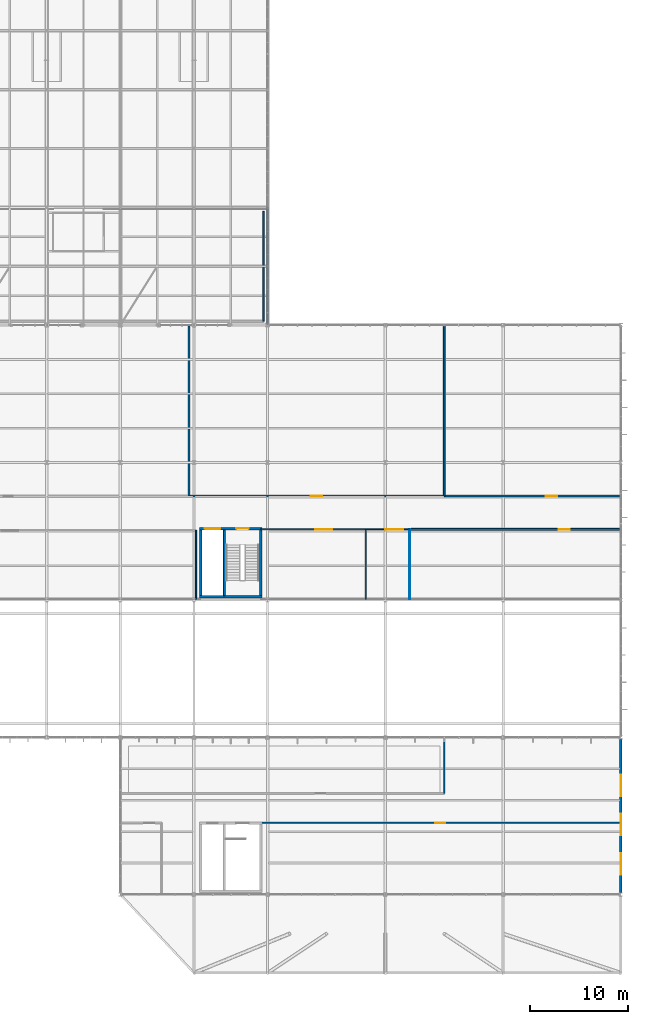
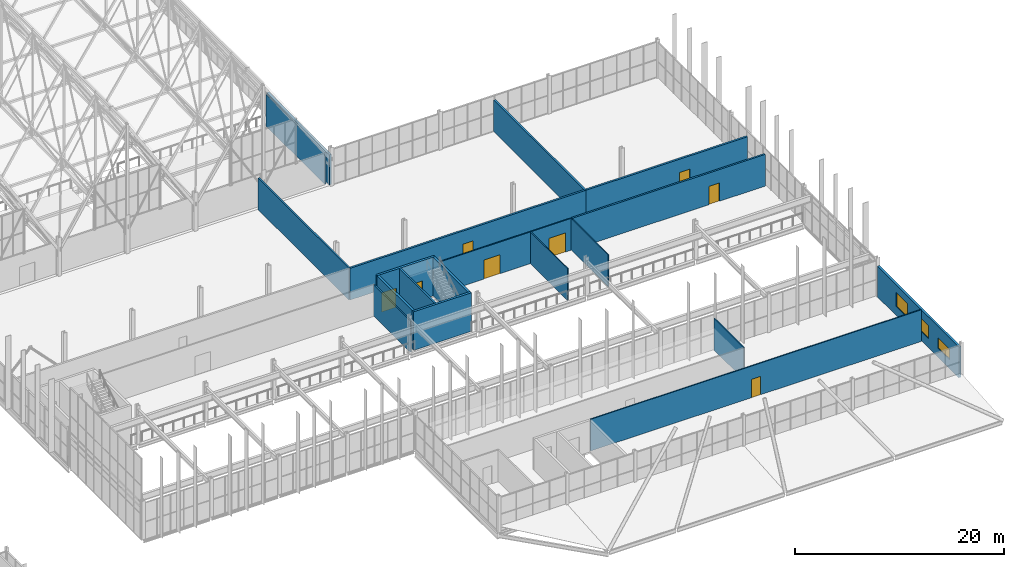
# One storey, part 311 of 324: 20 walls, 8 doors, 3 windows, 11 openings.
"""IFC4 building model written with IfcOpenShell, lengths in metres."""

from ifc_helpers import new_model, si_unit, direction, frame, frame_2d, origin, place, context, subcontext, project, spatial, rectangle, extrude, material, layer, layer_set, type_object, element, fill, save


model = new_model("IFC4")

# Units and contexts
model_context = context("Model", 3, precision=1e-05, world=origin(), true_north=direction((0.0, 1.0)))
body_context = subcontext(model_context, "Body", "Model", "MODEL_VIEW")
ifc_project = project(units=[si_unit("LENGTHUNIT", "METRE"), si_unit("AREAUNIT", "SQUARE_METRE"), si_unit("VOLUMEUNIT", "CUBIC_METRE"), si_unit("PLANEANGLEUNIT", "RADIAN"), si_unit("MASSUNIT", "GRAM", prefix="KILO")], contexts=[model_context])

# Site, building, storey
site_placement = place(None, origin())
site = spatial("IfcSite", under=ifc_project, at=site_placement, CompositionType="ELEMENT")
building_placement = place(site_placement, origin())
building = spatial("IfcBuilding", under=site, at=building_placement, Name="Solvenia Promenade Tram Depot", CompositionType="ELEMENT")
storey_placement = place(building_placement, frame((0.0, 0.0, 4.5)))
storey = spatial("IfcBuildingStorey", under=building, at=storey_placement, Name="L01", CompositionType="ELEMENT", Elevation=4.5)

# Wall
ifc_material_1 = material(Name="Concrete C28/35", Category="concrete")
ifc_layer_1 = layer(ifc_material_1, 0.25, Name="Concrete C28/35", Category="concrete")
ifc_layer_set_1 = layer_set([ifc_layer_1], Name="Concrete C28/35")
wall_type_1 = type_object("IfcWallType", Name="Wall-Core-250", PredefinedType="SHEAR", material=ifc_layer_set_1)
wall_1_placement = place(storey_placement, frame((143.050048828125, 38.324951171875, 0.0), z_axis=(0.0, 0.0, 1.0), x_axis=(1.0, 0.0, 0.0)))
element("IfcWall", 1, at=wall_1_placement, inside=storey, type_object=wall_type_1, Name="Core C6 Shear Wall WC-C6-L01-S", PredefinedType="SHEAR", context=body_context, shape_type="SweptSolid", body=[
    extrude(rectangle(XDim=6.39990234375, YDim=0.25, at=frame_2d((3.199951171875, 0.0))), origin(), (0.0, 0.0, 1.0), 4.5),
])

# Wall, openings, doors
wall_2_placement = place(storey_placement, frame((143.050048828125, 45.27490234375, 0.0), z_axis=(0.0, 0.0, 1.0), x_axis=(1.0, 0.0, 0.0)))
wall_2 = element("IfcWall", 2, at=wall_2_placement, inside=storey, type_object=wall_type_1, Name="Core C6 Shear Wall WC-C6-L01-N", PredefinedType="SHEAR", context=body_context, shape_type="SweptSolid", body=[
    extrude(rectangle(XDim=6.39990234375, YDim=0.25, at=frame_2d((3.199951171875, 0.0))), origin(), (0.0, 0.0, 1.0), 4.5),
])
opening_1_placement = place(wall_2_placement, frame((0.550048828125, 0.0, 0.0)))
opening_1 = element("IfcOpeningElement", 3, at=opening_1_placement, cuts=wall_2, Name="Opening LD-06", PredefinedType="OPENING", context=body_context, shape_type="SweptSolid", body=[
    extrude(rectangle(XDim=1.60009765625, YDim=2.25, at=frame_2d((0.800048828125, 1.125))), frame((0.0, 0.135009765625, 0.0), z_axis=(0.0, -1.0, 0.0), x_axis=(1.0, 0.0, 0.0)), (0.0, 0.0, 1.0), 0.27001953125),
])
opening_2_placement = place(wall_2_placement, frame((3.77490234375, 0.0, 0.0)))
opening_2 = element("IfcOpeningElement", 4, at=opening_2_placement, cuts=wall_2, Name="Opening D-FD90", PredefinedType="OPENING", context=body_context, shape_type="SweptSolid", body=[
    extrude(rectangle(XDim=1.25, YDim=2.14990234375, at=frame_2d((0.625, 1.074951171875))), frame((0.0, 0.135009765625, 0.0), z_axis=(0.0, -1.0, 0.0), x_axis=(1.0, 0.0, 0.0)), (0.0, 0.0, 1.0), 0.27001953125),
])
ifc_material_2 = material(Name="Galvanized painted sheet steel", Category="steel")
door_type_1 = type_object("IfcDoorType", Name="Door-Lift-Goods-1600", OperationType="DOUBLE_DOOR_SLIDING", PredefinedType="DOOR", material=ifc_material_2)
door_1_placement = place(opening_1_placement, origin())
door_1 = element("IfcDoor", 5, at=door_1_placement, inside=storey, type_object=door_type_1, Name="Lift Landing Door LG-02 L01", OperationType="DOUBLE_DOOR_SLIDING", OverallHeight=2.25, OverallWidth=1.60009765625, PredefinedType="DOOR", context=body_context, shape_type="SweptSolid", body=[
    extrude(rectangle(XDim=1.60009765625, YDim=2.25, at=frame_2d((0.800048828125, 1.125))), frame((0.0, 0.02490234375, 0.0), z_axis=(0.0, -1.0, 0.0), x_axis=(1.0, 0.0, 0.0)), (0.0, 0.0, 1.0), 0.050048828125),
])
fill(opening_1, door_1)
door_type_2 = type_object("IfcDoorType", Name="Door-Stair-FD90", OperationType="NOTDEFINED", PredefinedType="DOOR", material=ifc_material_2)
door_2_placement = place(opening_2_placement, frame((1.25, 0.0, 0.0), z_axis=(0.0, 0.0, 1.0), x_axis=(-1.0, 0.0, 0.0)))
door_2 = element("IfcDoor", 6, at=door_2_placement, inside=storey, type_object=door_type_2, Name="Exit Stair Door C6 L01", OperationType="SINGLE_SWING_RIGHT", OverallHeight=2.14990234375, OverallWidth=1.25, PredefinedType="DOOR", context=body_context, shape_type="SweptSolid", body=[
    extrude(rectangle(XDim=1.25, YDim=2.14990234375, at=frame_2d((0.625, 1.074951171875))), frame((0.0, 0.02490234375, 0.0), z_axis=(0.0, -1.0, 0.0), x_axis=(1.0, 0.0, 0.0)), (0.0, 0.0, 1.0), 0.050048828125),
])
fill(opening_2, door_2)

# Walls
for number, where, z_axis, x_axis, name in (
    (7, (143.175048828125, 38.449951171875, 0.0), (0.0, 0.0, 1.0), (0.0, 1.0, 0.0), "Core C6 Shear Wall WC-C6-L01-W"),
    (8, (149.324951171875, 38.449951171875, 0.0), (0.0, 0.0, 1.0), (0.0, 1.0, 0.0), "Core C6 Shear Wall WC-C6-L01-E"),
):
    element("IfcWall", number, at=place(storey_placement, frame(where, z_axis=z_axis, x_axis=x_axis)), inside=storey, type_object=wall_type_1, Name=name, PredefinedType="SHEAR", context=body_context, shape_type="SweptSolid", body=[
        extrude(rectangle(XDim=6.699951171875, YDim=0.25, at=frame_2d((3.35009765625, 0.0))), origin(), (0.0, 0.0, 1.0), 4.5),
    ])

# Wall, opening, door
ifc_material_3 = material(Name="Concrete blockwork masonry", Category="masonry")
ifc_layer_2 = layer(ifc_material_3, 0.195068359375, Name="Concrete blockwork masonry", Category="masonry")
ifc_layer_set_2 = layer_set([ifc_layer_2], Name="Concrete blockwork masonry")
wall_type_2 = type_object("IfcWallType", Name="Wall-Fire-195", PredefinedType="PARTITIONING", material=ifc_layer_set_2)
wall_3_placement = place(storey_placement, frame((164.5, 45.199951171875, 0.0), z_axis=(0.0, 0.0, 1.0), x_axis=(1.0, 0.0, 0.0)))
wall_3 = element("IfcWall", 9, at=wall_3_placement, inside=storey, type_object=wall_type_2, Name="Workshop Consumables Store Partition WP-L01-060", PredefinedType="PARTITIONING", context=body_context, shape_type="SweptSolid", body=[
    extrude(rectangle(XDim=21.340087890625, YDim=0.195068359375, at=frame_2d((10.669921875, 0.0))), origin(), (0.0, 0.0, 1.0), 3.699951171875),
])
opening_3_placement = place(wall_3_placement, frame((15.14306640625, 0.0, 0.0)))
opening_3 = element("IfcOpeningElement", 10, at=opening_3_placement, cuts=wall_3, Name="Opening D-FD60", PredefinedType="OPENING", context=body_context, shape_type="SweptSolid", body=[
    extrude(rectangle(XDim=1.14990234375, YDim=2.14990234375, at=frame_2d((0.574951171875, 1.074951171875))), frame((0.0, 0.107421875, 0.0), z_axis=(0.0, -1.0, 0.0), x_axis=(1.0, 0.0, 0.0)), (0.0, 0.0, 1.0), 0.215087890625),
])
door_type_3 = type_object("IfcDoorType", Name="Door-Fire-FD60", OperationType="NOTDEFINED", PredefinedType="DOOR", material=ifc_material_2)
door_3_placement = place(opening_3_placement, origin())
door_3 = element("IfcDoor", 11, at=door_3_placement, inside=storey, type_object=door_type_3, Name="Door to Workshop Consumables Store", OperationType="SINGLE_SWING_LEFT", OverallHeight=2.14990234375, OverallWidth=1.14990234375, PredefinedType="DOOR", context=body_context, shape_type="SweptSolid", body=[
    extrude(rectangle(XDim=1.14990234375, YDim=2.14990234375, at=frame_2d((0.574951171875, 1.074951171875))), frame((0.0, 0.02490234375, 0.0), z_axis=(0.0, -1.0, 0.0), x_axis=(1.0, 0.0, 0.0)), (0.0, 0.0, 1.0), 0.050048828125),
])
fill(opening_3, door_3)

# Wall
wall_4_placement = place(storey_placement, frame((168.0, 48.60009765625, 0.0), z_axis=(0.0, 0.0, 1.0), x_axis=(0.0, 1.0, 0.0)))
element("IfcWall", 12, at=wall_4_placement, inside=storey, type_object=wall_type_2, Name="Battery Charging Plant Dividing Wall WP-L01-064", PredefinedType="PARTITIONING", context=body_context, shape_type="SweptSolid", body=[
    extrude(rectangle(XDim=17.31982421875, YDim=0.195068359375, at=frame_2d((8.659912109375, 0.0))), origin(), (0.0, 0.0, 1.0), 3.699951171875),
])

# Wall, opening, door
ifc_layer_3 = layer(ifc_material_3, 0.215087890625, Name="Concrete blockwork masonry", Category="masonry")
ifc_layer_set_3 = layer_set([ifc_layer_3], Name="Concrete blockwork masonry")
wall_type_3 = type_object("IfcWallType", Name="Wall-Fire-215", PredefinedType="PARTITIONING", material=ifc_layer_set_3)
wall_5_placement = place(storey_placement, frame((142.0, 48.60009765625, 0.0), z_axis=(0.0, 0.0, 1.0), x_axis=(1.0, 0.0, 0.0)))
wall_5 = element("IfcWall", 13, at=wall_5_placement, inside=storey, type_object=wall_type_3, Name="Battery Charging Plant Partition WP-L01-063", PredefinedType="PARTITIONING", context=body_context, shape_type="SweptSolid", body=[
    extrude(rectangle(XDim=26.0, YDim=0.215087890625, at=frame_2d((13.0, 0.0))), origin(), (0.0, 0.0, 1.0), 3.699951171875),
])
opening_4_placement = place(wall_5_placement, frame((12.425048828125, 0.0, 0.0)))
opening_4 = element("IfcOpeningElement", 14, at=opening_4_placement, cuts=wall_5, Name="Opening D-FD60", PredefinedType="OPENING", context=body_context, shape_type="SweptSolid", body=[
    extrude(rectangle(XDim=1.14990234375, YDim=2.14990234375, at=frame_2d((0.574951171875, 1.074951171875))), frame((0.0, 0.117431640625, 0.0), z_axis=(0.0, -1.0, 0.0), x_axis=(1.0, 0.0, 0.0)), (0.0, 0.0, 1.0), 0.235107421875),
])
door_4_placement = place(opening_4_placement, origin())
door_4 = element("IfcDoor", 15, at=door_4_placement, inside=storey, type_object=door_type_3, Name="Door to Battery Charging Plant", OperationType="SINGLE_SWING_LEFT", OverallHeight=2.14990234375, OverallWidth=1.14990234375, PredefinedType="DOOR", context=body_context, shape_type="SweptSolid", body=[
    extrude(rectangle(XDim=1.14990234375, YDim=2.14990234375, at=frame_2d((0.574951171875, 1.074951171875))), frame((0.0, 0.02490234375, 0.0), z_axis=(0.0, -1.0, 0.0), x_axis=(1.0, 0.0, 0.0)), (0.0, 0.0, 1.0), 0.050048828125),
])
fill(opening_4, door_4)

wall_6_placement = place(storey_placement, frame((168.0, 48.60009765625, 0.0), z_axis=(0.0, 0.0, 1.0), x_axis=(1.0, 0.0, 0.0)))
wall_6 = element("IfcWall", 16, at=wall_6_placement, inside=storey, type_object=wall_type_3, Name="Precision Tool Calibration Store Partition WP-L01-065", PredefinedType="PARTITIONING", context=body_context, shape_type="SweptSolid", body=[
    extrude(rectangle(XDim=17.840087890625, YDim=0.215087890625, at=frame_2d((8.919921875, 0.0))), origin(), (0.0, 0.0, 1.0), 3.699951171875),
])
opening_5_placement = place(wall_6_placement, frame((10.347900390625, 0.0, 0.0)))
opening_5 = element("IfcOpeningElement", 17, at=opening_5_placement, cuts=wall_6, Name="Opening D-FD60", PredefinedType="OPENING", context=body_context, shape_type="SweptSolid", body=[
    extrude(rectangle(XDim=1.14990234375, YDim=2.14990234375, at=frame_2d((0.574951171875, 1.074951171875))), frame((0.0, 0.117431640625, 0.0), z_axis=(0.0, -1.0, 0.0), x_axis=(1.0, 0.0, 0.0)), (0.0, 0.0, 1.0), 0.235107421875),
])
door_5_placement = place(opening_5_placement, origin())
door_5 = element("IfcDoor", 18, at=door_5_placement, inside=storey, type_object=door_type_3, Name="Door to Precision Tool Calibration Store", OperationType="SINGLE_SWING_RIGHT", OverallHeight=2.14990234375, OverallWidth=1.14990234375, PredefinedType="DOOR", context=body_context, shape_type="SweptSolid", body=[
    extrude(rectangle(XDim=1.14990234375, YDim=2.14990234375, at=frame_2d((0.574951171875, 1.074951171875))), frame((0.0, 0.02490234375, 0.0), z_axis=(0.0, -1.0, 0.0), x_axis=(1.0, 0.0, 0.0)), (0.0, 0.0, 1.0), 0.050048828125),
])
fill(opening_5, door_5)

# Walls
ifc_layer_4 = layer(ifc_material_3, 0.14501953125, Name="Concrete blockwork masonry", Category="masonry")
ifc_layer_set_4 = layer_set([ifc_layer_4], Name="Concrete blockwork masonry")
wall_type_4 = type_object("IfcWallType", Name="Wall-Masonry-145", PredefinedType="PARTITIONING", material=ifc_layer_set_4)
wall_7_placement = place(storey_placement, frame((149.60009765625, 66.39990234375, 0.0), z_axis=(0.0, 0.0, 1.0), x_axis=(0.0, 1.0, 0.0)))
element("IfcWall", 19, at=wall_7_placement, inside=storey, type_object=wall_type_4, Name="Overhead Line Maintenance Workshop Dividing Wall WP-L01-053", PredefinedType="PARTITIONING", context=body_context, shape_type="SweptSolid", body=[
    extrude(rectangle(XDim=11.2001953125, YDim=0.14501953125, at=frame_2d((5.60009765625, 0.0))), origin(), (0.0, 0.0, 1.0), 3.699951171875),
])
ifc_layer_5 = layer(ifc_material_3, 0.16796875, Name="Concrete blockwork masonry", Category="masonry")
ifc_layer_set_5 = layer_set([ifc_layer_5], Name="Concrete blockwork masonry")
wall_type_5 = type_object("IfcWallType", Name="Wall-Masonry-168", PredefinedType="PARTITIONING", material=ifc_layer_set_5)
wall_8_placement = place(storey_placement, frame((142.0, 48.60009765625, 0.0), z_axis=(0.0, 0.0, 1.0), x_axis=(0.0, 1.0, 0.0)))
element("IfcWall", 20, at=wall_8_placement, inside=storey, type_object=wall_type_5, Name="Traction Electronics Workshop Dividing Wall WP-L01-062", PredefinedType="PARTITIONING", context=body_context, shape_type="SweptSolid", body=[
    extrude(rectangle(XDim=17.31982421875, YDim=0.16796875, at=frame_2d((8.659912109375, 0.0))), origin(), (0.0, 0.0, 1.0), 3.699951171875),
])
ifc_material_4 = material(Name="Gypsum board acoustic partition", Category="other")
ifc_layer_6 = layer(ifc_material_4, 0.114013671875, Name="Gypsum board acoustic partition", Category="other")
ifc_layer_set_6 = layer_set([ifc_layer_6], Name="Gypsum board acoustic partition")
wall_type_6 = type_object("IfcWallType", Name="Wall-Part-114", PredefinedType="PARTITIONING", material=ifc_layer_set_6)
wall_9_placement = place(storey_placement, frame((160.0, 38.080078125, 0.0), z_axis=(0.0, 0.0, 1.0), x_axis=(0.0, 1.0, 0.0)))
element("IfcWall", 21, at=wall_9_placement, inside=storey, type_object=wall_type_6, Name="First Floor Workshop Staff WC Dividing Wall WP-L01-057", PredefinedType="PARTITIONING", context=body_context, shape_type="SweptSolid", body=[
    extrude(rectangle(XDim=7.119873046875, YDim=0.114013671875, at=frame_2d((3.56005859375, 0.0))), origin(), (0.0, 0.0, 1.0), 3.699951171875),
])

# Wall, opening, door
wall_10_placement = place(storey_placement, frame((160.0, 45.199951171875, 0.0), z_axis=(0.0, 0.0, 1.0), x_axis=(1.0, 0.0, 0.0)))
wall_10 = element("IfcWall", 22, at=wall_10_placement, inside=storey, type_object=wall_type_6, Name="First Floor Workshop Accessible WC Partition WP-L01-058", PredefinedType="PARTITIONING", context=body_context, shape_type="SweptSolid", body=[
    extrude(rectangle(XDim=4.5, YDim=0.114013671875, at=frame_2d((2.25, 0.0))), origin(), (0.0, 0.0, 1.0), 3.699951171875),
])
opening_6_placement = place(wall_10_placement, frame((1.9951171875, 0.0, 0.0)))
opening_6 = element("IfcOpeningElement", 23, at=opening_6_placement, cuts=wall_10, Name="Opening DR-34", PredefinedType="OPENING", context=body_context, shape_type="SweptSolid", body=[
    extrude(rectangle(XDim=1.840087890625, YDim=2.219970703125, at=frame_2d((0.919921875, 1.10986328125))), frame((0.0, 0.06689453125, 0.0), z_axis=(0.0, -1.0, 0.0), x_axis=(1.0, 0.0, 0.0)), (0.0, 0.0, 1.0), 0.134033203125),
])
door_type_4 = type_object("IfcDoorType", Name="Door-Room-1840x2220", OperationType="NOTDEFINED", PredefinedType="DOOR", material=ifc_material_2)
door_6_placement = place(opening_6_placement, origin())
door_6 = element("IfcDoor", 24, at=door_6_placement, inside=storey, type_object=door_type_4, Name="Door to First Floor Workshop Accessible WC", OperationType="SINGLE_SWING_RIGHT", OverallHeight=2.219970703125, OverallWidth=1.840087890625, PredefinedType="DOOR", context=body_context, shape_type="SweptSolid", body=[
    extrude(rectangle(XDim=1.840087890625, YDim=2.219970703125, at=frame_2d((0.919921875, 1.10986328125))), frame((0.0, 0.02490234375, 0.0), z_axis=(0.0, -1.0, 0.0), x_axis=(1.0, 0.0, 0.0)), (0.0, 0.0, 1.0), 0.050048828125),
])
fill(opening_6, door_6)

# Wall
ifc_layer_7 = layer(ifc_material_4, 0.1220703125, Name="Gypsum board acoustic partition", Category="other")
ifc_layer_set_7 = layer_set([ifc_layer_7], Name="Gypsum board acoustic partition")
wall_type_7 = type_object("IfcWallType", Name="Wall-Part-122", PredefinedType="PARTITIONING", material=ifc_layer_set_7)
wall_11_placement = place(storey_placement, frame((168.0, 18.300048828125, 0.0), z_axis=(0.0, 0.0, 1.0), x_axis=(0.0, 1.0, 0.0)))
element("IfcWall", 25, at=wall_11_placement, inside=storey, type_object=wall_type_7, Name="Promenade Mezzanine Gallery Dividing Wall WP-L01-092", PredefinedType="PARTITIONING", context=body_context, shape_type="SweptSolid", body=[
    extrude(rectangle(XDim=5.619873046875, YDim=0.1220703125, at=frame_2d((2.81005859375, 0.0))), origin(), (0.0, 0.0, 1.0), 3.699951171875),
])

# Wall, opening, door
wall_12_placement = place(storey_placement, frame((149.324951171875, 15.300048828125, 0.0), z_axis=(0.0, 0.0, 1.0), x_axis=(1.0, 0.0, 0.0)))
wall_12 = element("IfcWall", 26, at=wall_12_placement, inside=storey, type_object=wall_type_7, Name="Community Transit Room Partition WP-L01-093", PredefinedType="PARTITIONING", context=body_context, shape_type="SweptSolid", body=[
    extrude(rectangle(XDim=36.51513671875, YDim=0.1220703125, at=frame_2d((18.257568359375, 0.0))), origin(), (0.0, 0.0, 1.0), 3.699951171875),
])
opening_7_placement = place(wall_12_placement, frame((17.758056640625, 0.0, 0.0)))
opening_7 = element("IfcOpeningElement", 27, at=opening_7_placement, cuts=wall_12, Name="Opening DR-11", PredefinedType="OPENING", context=body_context, shape_type="SweptSolid", body=[
    extrude(rectangle(XDim=1.0, YDim=2.139892578125, at=frame_2d((0.5, 1.06982421875))), frame((0.0, 0.071044921875, 0.0), z_axis=(0.0, -1.0, 0.0), x_axis=(1.0, 0.0, 0.0)), (0.0, 0.0, 1.0), 0.14208984375),
])
door_type_5 = type_object("IfcDoorType", Name="Door-Room-1000x2140", OperationType="NOTDEFINED", PredefinedType="DOOR", material=ifc_material_2)
door_7_placement = place(opening_7_placement, origin())
door_7 = element("IfcDoor", 28, at=door_7_placement, inside=storey, type_object=door_type_5, Name="Door to Community Transit Room", OperationType="SINGLE_SWING_LEFT", OverallHeight=2.139892578125, OverallWidth=1.0, PredefinedType="DOOR", context=body_context, shape_type="SweptSolid", body=[
    extrude(rectangle(XDim=1.0, YDim=2.139892578125, at=frame_2d((0.5, 1.06982421875))), frame((0.0, 0.02490234375, 0.0), z_axis=(0.0, -1.0, 0.0), x_axis=(1.0, 0.0, 0.0)), (0.0, 0.0, 1.0), 0.050048828125),
])
fill(opening_7, door_7)

# Wall
ifc_layer_8 = layer(ifc_material_4, 0.1298828125, Name="Gypsum board acoustic partition", Category="other")
ifc_layer_set_8 = layer_set([ifc_layer_8], Name="Gypsum board acoustic partition")
wall_type_8 = type_object("IfcWallType", Name="Wall-Part-130", PredefinedType="PARTITIONING", material=ifc_layer_set_8)
wall_13_placement = place(storey_placement, frame((142.699951171875, 38.080078125, 0.0), z_axis=(0.0, 0.0, 1.0), x_axis=(0.0, 1.0, 0.0)))
element("IfcWall", 29, at=wall_13_placement, inside=storey, type_object=wall_type_8, Name="Component Overhaul Workshop Dividing Wall WP-L01-055", PredefinedType="PARTITIONING", context=body_context, shape_type="SweptSolid", body=[
    extrude(rectangle(XDim=7.02001953125, YDim=0.1298828125, at=frame_2d((3.510009765625, 0.0))), origin(), (0.0, 0.0, 1.0), 3.633056640625),
])

# Wall, opening, door
wall_14_placement = place(storey_placement, frame((149.324951171875, 45.199951171875, 0.0), z_axis=(0.0, 0.0, 1.0), x_axis=(1.0, 0.0, 0.0)))
wall_14 = element("IfcWall", 30, at=wall_14_placement, inside=storey, type_object=wall_type_8, Name="First Floor Workshop Staff WC Partition WP-L01-056", PredefinedType="PARTITIONING", context=body_context, shape_type="SweptSolid", body=[
    extrude(rectangle(XDim=10.675048828125, YDim=0.1298828125, at=frame_2d((5.33740234375, 0.0))), origin(), (0.0, 0.0, 1.0), 3.699951171875),
])
opening_8_placement = place(wall_14_placement, frame((5.527099609375, 0.0, 0.0)))
opening_8 = element("IfcOpeningElement", 31, at=opening_8_placement, cuts=wall_14, Name="Opening DR-33", PredefinedType="OPENING", context=body_context, shape_type="SweptSolid", body=[
    extrude(rectangle(XDim=1.760009765625, YDim=2.219970703125, at=frame_2d((0.8798828125, 1.10986328125))), frame((0.0, 0.074951171875, 0.0), z_axis=(0.0, -1.0, 0.0), x_axis=(1.0, 0.0, 0.0)), (0.0, 0.0, 1.0), 0.14990234375),
])
door_type_6 = type_object("IfcDoorType", Name="Door-Room-1760x2220", OperationType="NOTDEFINED", PredefinedType="DOOR", material=ifc_material_2)
door_8_placement = place(opening_8_placement, origin())
door_8 = element("IfcDoor", 32, at=door_8_placement, inside=storey, type_object=door_type_6, Name="Door to First Floor Workshop Staff WC", OperationType="SINGLE_SWING_LEFT", OverallHeight=2.219970703125, OverallWidth=1.760009765625, PredefinedType="DOOR", context=body_context, shape_type="SweptSolid", body=[
    extrude(rectangle(XDim=1.760009765625, YDim=2.219970703125, at=frame_2d((0.8798828125, 1.10986328125))), frame((0.0, 0.02490234375, 0.0), z_axis=(0.0, -1.0, 0.0), x_axis=(1.0, 0.0, 0.0)), (0.0, 0.0, 1.0), 0.050048828125),
])
fill(opening_8, door_8)

# Walls
ifc_layer_9 = layer(ifc_material_4, 0.097900390625, Name="Gypsum board acoustic partition", Category="other")
ifc_layer_set_9 = layer_set([ifc_layer_9], Name="Gypsum board acoustic partition")
wall_type_9 = type_object("IfcWallType", Name="Wall-Part-98", PredefinedType="PARTITIONING", material=ifc_layer_set_9)
wall_15_placement = place(storey_placement, frame((164.5, 38.080078125, 0.0), z_axis=(0.0, 0.0, 1.0), x_axis=(0.0, 1.0, 0.0)))
element("IfcWall", 33, at=wall_15_placement, inside=storey, type_object=wall_type_9, Name="First Floor Workshop Accessible WC Dividing Wall WP-L01-059", PredefinedType="PARTITIONING", context=body_context, shape_type="SweptSolid", body=[
    extrude(rectangle(XDim=7.119873046875, YDim=0.097900390625, at=frame_2d((3.56005859375, 0.0))), origin(), (0.0, 0.0, 1.0), 3.699951171875),
])
ifc_layer_10 = layer(ifc_material_1, 0.199951171875, Name="Concrete C28/35", Category="concrete")
ifc_layer_set_10 = layer_set([ifc_layer_10], Name="Concrete C28/35")
wall_type_10 = type_object("IfcWallType", Name="Wall-Shaft-200", PredefinedType="SHEAR", material=ifc_layer_set_10)
wall_16_placement = place(storey_placement, frame((145.60009765625, 38.449951171875, 0.0), z_axis=(0.0, 0.0, 1.0), x_axis=(0.0, 1.0, 0.0)))
element("IfcWall", 34, at=wall_16_placement, inside=storey, type_object=wall_type_10, Name="Core C6 Shear Wall WC-C6-L01-DIV", PredefinedType="SHEAR", context=body_context, shape_type="SweptSolid", body=[
    extrude(rectangle(XDim=6.699951171875, YDim=0.199951171875, at=frame_2d((3.35009765625, 0.0))), origin(), (0.0, 0.0, 1.0), 4.5),
])

# Wall, openings, windows
ifc_material_5 = material(Name="Concrete C35/45", Category="concrete")
ifc_layer_11 = layer(ifc_material_5, 0.239990234375, Name="Concrete C35/45", Category="concrete")
ifc_layer_set_11 = layer_set([ifc_layer_11], Name="Concrete C35/45")
wall_type_11 = type_object("IfcWallType", Name="Wall-Spandrel-240", PredefinedType="SOLIDWALL", material=ifc_layer_set_11)
wall_17_placement = place(storey_placement, frame((186.0, 8.219970703125, 0.0), z_axis=(0.0, 0.0, 1.0), x_axis=(0.0, 1.0, 0.0)))
wall_17 = element("IfcWall", 35, at=wall_17_placement, inside=storey, type_object=wall_type_11, Name="L01 Cycle Hub East Wall EW-L01-094", PredefinedType="SOLIDWALL", context=body_context, shape_type="SweptSolid", body=[
    extrude(rectangle(XDim=15.56005859375, YDim=0.239990234375, at=frame_2d((7.780029296875, 0.0))), origin(), (0.0, 0.0, 1.0), 3.5810546875),
])
opening_9_placement = place(wall_17_placement, frame((1.800048828125, 0.0, 1.050048828125)))
opening_9 = element("IfcOpeningElement", 36, at=opening_9_placement, cuts=wall_17, Name="Opening WN-29", PredefinedType="OPENING", context=body_context, shape_type="SweptSolid", body=[
    extrude(rectangle(XDim=2.199951171875, YDim=1.199951171875, at=frame_2d((1.10009765625, 0.60009765625))), frame((0.0, 0.1298828125, 0.0), z_axis=(0.0, -1.0, 0.0), x_axis=(1.0, 0.0, 0.0)), (0.0, 0.0, 1.0), 0.260009765625),
])
opening_10_placement = place(wall_17_placement, frame((5.800048828125, 0.0, 1.050048828125)))
opening_10 = element("IfcOpeningElement", 37, at=opening_10_placement, cuts=wall_17, Name="Opening WN-30", PredefinedType="OPENING", context=body_context, shape_type="SweptSolid", body=[
    extrude(rectangle(XDim=2.199951171875, YDim=1.5, at=frame_2d((1.10009765625, 0.75))), frame((0.0, 0.1298828125, 0.0), z_axis=(0.0, -1.0, 0.0), x_axis=(1.0, 0.0, 0.0)), (0.0, 0.0, 1.0), 0.260009765625),
])
opening_11_placement = place(wall_17_placement, frame((9.800048828125, 0.0, 1.050048828125)))
opening_11 = element("IfcOpeningElement", 38, at=opening_11_placement, cuts=wall_17, Name="Opening WN-31", PredefinedType="OPENING", context=body_context, shape_type="SweptSolid", body=[
    extrude(rectangle(XDim=2.199951171875, YDim=1.64990234375, at=frame_2d((1.10009765625, 0.824951171875))), frame((0.0, 0.1298828125, 0.0), z_axis=(0.0, -1.0, 0.0), x_axis=(1.0, 0.0, 0.0)), (0.0, 0.0, 1.0), 0.260009765625),
])
ifc_material_6 = material(Name="Double low-e argon insulated glass", Category="glass")
window_type_1 = type_object("IfcWindowType", Name="Win-2400x1200", PartitioningType="DOUBLE_PANEL_VERTICAL", PredefinedType="WINDOW", material=ifc_material_6)
window_1_placement = place(opening_9_placement, origin())
window_1 = element("IfcWindow", 39, at=window_1_placement, inside=storey, type_object=window_type_1, Name="L01 East Promenade Window 029", OverallHeight=1.199951171875, OverallWidth=2.199951171875, PartitioningType="SINGLE_PANEL", PredefinedType="WINDOW", context=body_context, shape_type="SweptSolid", body=[
    extrude(rectangle(XDim=2.199951171875, YDim=1.199951171875, at=frame_2d((1.10009765625, 0.60009765625))), frame((0.0, 0.030029296875, 0.0), z_axis=(0.0, -1.0, 0.0), x_axis=(1.0, 0.0, 0.0)), (0.0, 0.0, 1.0), 0.06005859375),
])
fill(opening_9, window_1)
window_type_2 = type_object("IfcWindowType", Name="Win-2400x1500", PartitioningType="DOUBLE_PANEL_VERTICAL", PredefinedType="WINDOW", material=ifc_material_6)
window_2_placement = place(opening_10_placement, origin())
window_2 = element("IfcWindow", 40, at=window_2_placement, inside=storey, type_object=window_type_2, Name="L01 East Promenade Window 030", OverallHeight=1.5, OverallWidth=2.199951171875, PartitioningType="SINGLE_PANEL", PredefinedType="WINDOW", context=body_context, shape_type="SweptSolid", body=[
    extrude(rectangle(XDim=2.199951171875, YDim=1.5, at=frame_2d((1.10009765625, 0.75))), frame((0.0, 0.030029296875, 0.0), z_axis=(0.0, -1.0, 0.0), x_axis=(1.0, 0.0, 0.0)), (0.0, 0.0, 1.0), 0.06005859375),
])
fill(opening_10, window_2)
window_type_3 = type_object("IfcWindowType", Name="Win-2400x1650", PartitioningType="DOUBLE_PANEL_VERTICAL", PredefinedType="WINDOW", material=ifc_material_6)
window_3_placement = place(opening_11_placement, origin())
window_3 = element("IfcWindow", 41, at=window_3_placement, inside=storey, type_object=window_type_3, Name="L01 East Promenade Window 031", OverallHeight=1.64990234375, OverallWidth=2.199951171875, PartitioningType="SINGLE_PANEL", PredefinedType="WINDOW", context=body_context, shape_type="SweptSolid", body=[
    extrude(rectangle(XDim=2.199951171875, YDim=1.64990234375, at=frame_2d((1.10009765625, 0.824951171875))), frame((0.0, 0.030029296875, 0.0), z_axis=(0.0, -1.0, 0.0), x_axis=(1.0, 0.0, 0.0)), (0.0, 0.0, 1.0), 0.06005859375),
])
fill(opening_11, window_3)

# Wall
wall_18_placement = place(storey_placement, frame((150.0, 66.080078125, 0.0), z_axis=(0.0, 0.0, 1.0), x_axis=(0.0, 1.0, 0.0)))
element("IfcWall", 42, at=wall_18_placement, inside=storey, type_object=wall_type_11, Name="L01 Gallery East End Wall EW-L01-100", PredefinedType="SOLIDWALL", context=body_context, shape_type="SweptSolid", body=[
    extrude(rectangle(XDim=12.0, YDim=0.239990234375, at=frame_2d((6.0, 0.0))), origin(), (0.0, 0.0, 1.0), 3.5),
])

save(model, "model.ifc")
